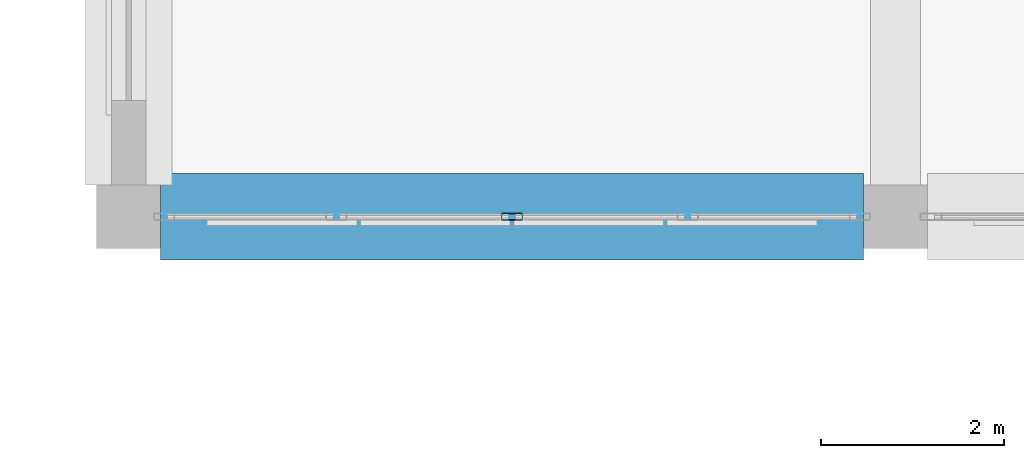
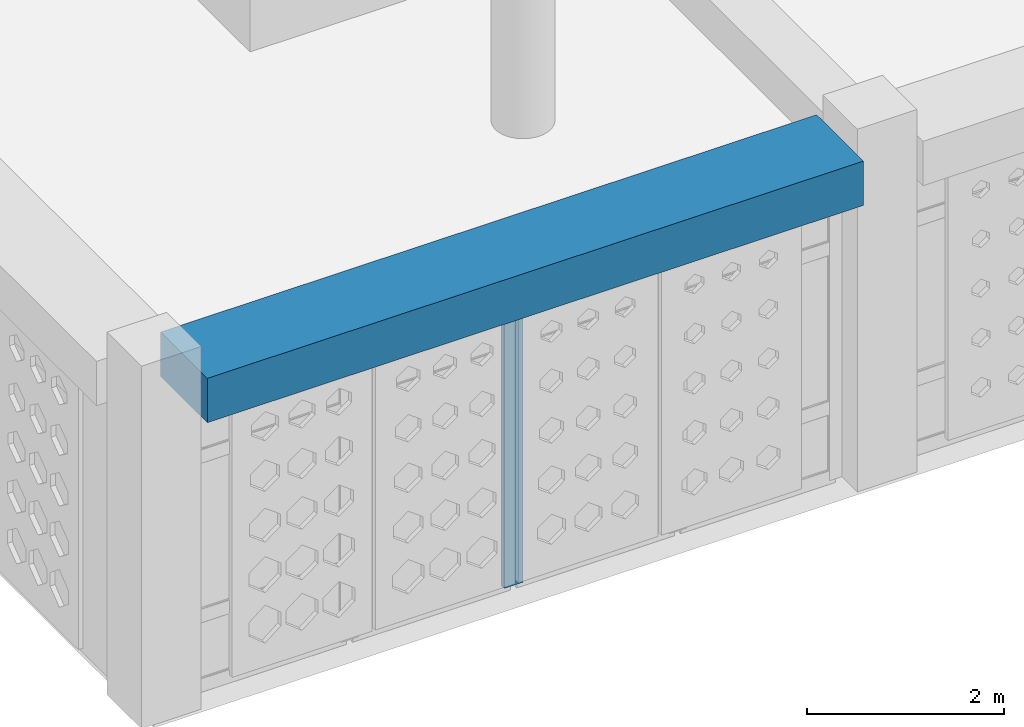
# One storey, part 10 of 79: 1 beam, 1 member, 1 element without a shape of its own.
"""IFC4 building model written with IfcOpenShell, lengths in metres."""

from ifc_helpers import new_model, si_unit, derived_unit, direction, frame, origin, origin_2d, place, context, subcontext, project, spatial, rectangle, hollow_rectangle, extrude, material, material_profile, profile_set, type_object, element, aggregate, save


model = new_model("IFC4")

# Units and contexts
model_context = context("Model", 3, precision=1e-05, world=origin(), true_north=direction((0.0, 1.0)))
body_context = subcontext(model_context, "Body", "Model", "MODEL_VIEW")
ifc_project = project(units=[si_unit("LENGTHUNIT", "METRE"), si_unit("AREAUNIT", "SQUARE_METRE"), si_unit("VOLUMEUNIT", "CUBIC_METRE"), si_unit("PLANEANGLEUNIT", "RADIAN"), si_unit("MASSUNIT", "GRAM", prefix="KILO"), derived_unit("THERMALTRANSMITTANCEUNIT", [(si_unit("POWERUNIT", "WATT"), 1), (si_unit("LENGTHUNIT", "METRE"), -2), (si_unit("THERMODYNAMICTEMPERATUREUNIT", "KELVIN"), -1)])], contexts=[model_context])

# Site, building, storey
site_placement = place(None, origin())
site = spatial("IfcSite", under=ifc_project, at=site_placement, CompositionType="ELEMENT")
building_placement = place(site_placement, origin())
building = spatial("IfcBuilding", under=site, at=building_placement, Name="Veybourne Emporium", CompositionType="ELEMENT")
storey_placement = place(building_placement, frame((0.0, 0.0, 18.89990234375)))
storey = spatial("IfcBuildingStorey", under=building, at=storey_placement, Name="L04", CompositionType="ELEMENT", Elevation=18.89990234375)

# Curtain wall, member
ifc_material_1 = material(Name="Patinated Architectural Bronze", Category="bronze")
curtain_wall_type = type_object("IfcCurtainWallType", Name="CWSystem_CWS-02", PredefinedType="NOTDEFINED", material=ifc_material_1)
curtain_wall_placement = place(storey_placement, origin())
curtain_wall = element("IfcCurtainWall", 1, at=curtain_wall_placement, inside=storey, type_object=curtain_wall_type, Name="L04 bronze glazed curtain wall CWS-02 (033)", PredefinedType="NOTDEFINED")
ifc_material_profile_1 = material_profile(ifc_material_1, hollow_rectangle(XDim=0.074951171875, YDim=0.22998046875, WallThickness=0.0048828125, InnerFilletRadius=0.007568359375, OuterFilletRadius=0.012451171875, at=origin_2d()), Name="CWM 75x230x5")
ifc_profile_set_1 = profile_set([ifc_material_profile_1], Name="Patinated Architectural Bronze")
member_type = type_object("IfcMemberType", Name="CWMullion_CW-M2", PredefinedType="MULLION", material=ifc_profile_set_1)
member_placement = place(storey_placement, frame((63.0, 28.800048828125, 0.0), z_axis=(0.0, 0.0, 1.0), x_axis=(0.0, -1.0, 0.0)))
member = element("IfcMember", 2, at=member_placement, type_object=member_type, Name="CWS-02 mullion 3", PredefinedType="MULLION", context=body_context, shape_type="SweptSolid", body=[
    extrude(hollow_rectangle(XDim=0.074951171875, YDim=0.22998046875, WallThickness=0.0048828125, InnerFilletRadius=0.007568359375, OuterFilletRadius=0.012451171875, at=origin_2d()), origin(), (0.0, 0.0, 1.0), 3.630126953125),
])
aggregate(curtain_wall, [member])

# Beam
ifc_material_2 = material(Name="Concrete C32/40", Category="concrete")
ifc_material_profile_2 = material_profile(ifc_material_2, rectangle(XDim=0.949951171875, YDim=0.550048828125, at=origin_2d()), Name="RC 950x550")
ifc_profile_set_2 = profile_set([ifc_material_profile_2], Name="Concrete C32/40")
beam_type = type_object("IfcBeamType", Name="RCBeam_EB-01", PredefinedType="SPANDREL", material=ifc_profile_set_2)
beam_placement = place(storey_placement, frame((59.14990234375, 28.800048828125, 3.905029296875), z_axis=(1.0, 0.0, 0.0), x_axis=(0.0, 1.0, 0.0)))
element("IfcBeam", 3, at=beam_placement, inside=storey, type_object=beam_type, Name="L04 X-grid beam EB-01 (7,4)", PredefinedType="SPANDREL", context=body_context, shape_type="SweptSolid", body=[
    extrude(rectangle(XDim=0.949951171875, YDim=0.550048828125, at=origin_2d()), origin(), (0.0, 0.0, 1.0), 7.7001953125),
])

save(model, "model.ifc")
